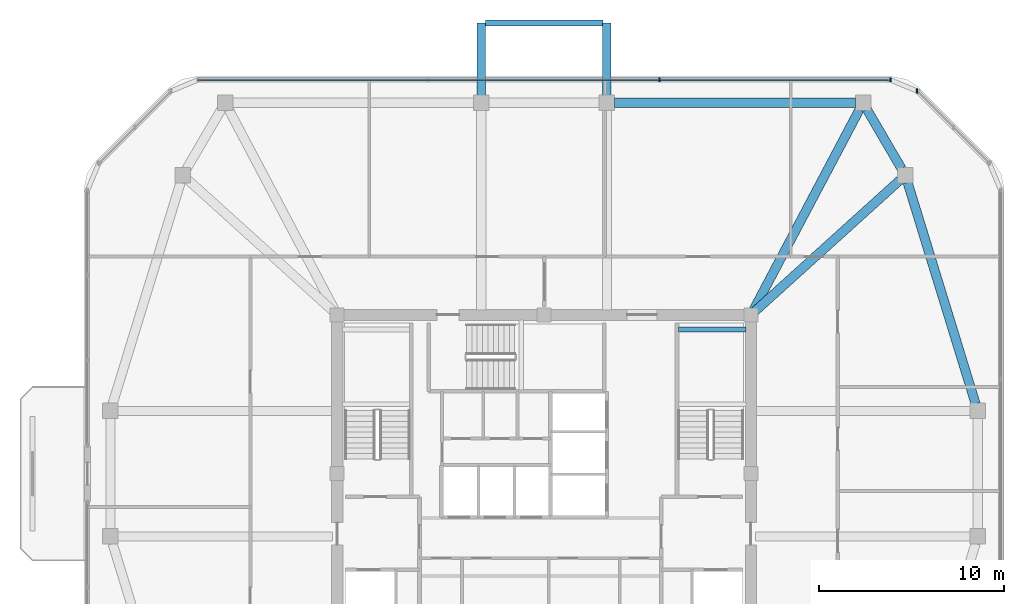
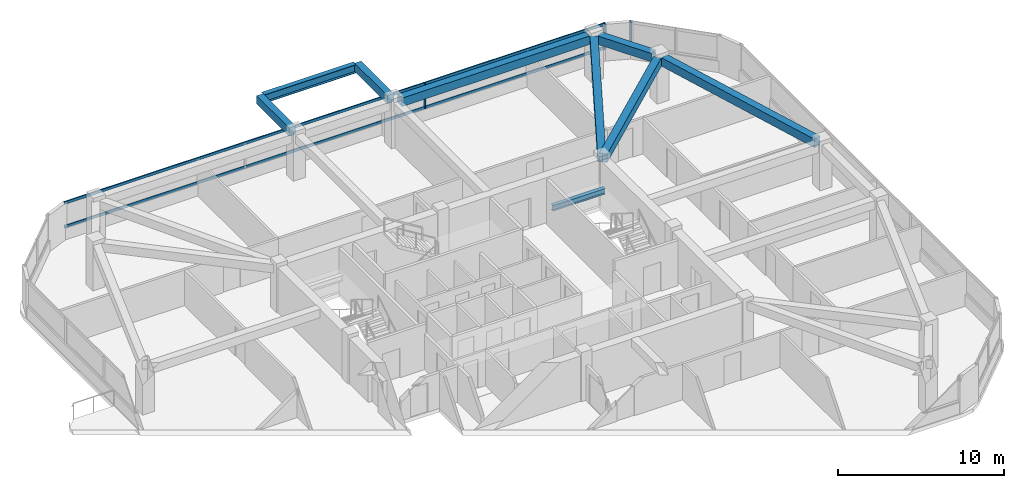
# One storey, part 5 of 12: 9 beams, 5 members, 2 elements without a shape of their own.
"""IFC4 building model written with IfcOpenShell, lengths in metres."""

from ifc_helpers import new_model, si_unit, derived_unit, direction, frame, origin, origin_2d, place, context, subcontext, project, spatial, rectangle, i_section, extrude, material, material_profile, profile_set, type_object, element, aggregate, save


model = new_model("IFC4")

# Units and contexts
model_context = context("Model", 3, precision=1e-05, world=origin(), true_north=direction((0.0, 1.0)))
body_context = subcontext(model_context, "Body", "Model", "MODEL_VIEW")
ifc_project = project(units=[si_unit("LENGTHUNIT", "METRE"), si_unit("AREAUNIT", "SQUARE_METRE"), si_unit("VOLUMEUNIT", "CUBIC_METRE"), si_unit("PLANEANGLEUNIT", "RADIAN"), si_unit("MASSUNIT", "GRAM", prefix="KILO"), derived_unit("THERMALTRANSMITTANCEUNIT", [(si_unit("POWERUNIT", "WATT"), 1), (si_unit("LENGTHUNIT", "METRE"), -2), (si_unit("THERMODYNAMICTEMPERATUREUNIT", "KELVIN"), -1)])], contexts=[model_context])

# Site, building, storey
site_placement = place(None, origin())
site = spatial("IfcSite", under=ifc_project, at=site_placement, CompositionType="ELEMENT")
building_placement = place(site_placement, origin())
building = spatial("IfcBuilding", under=site, at=building_placement, Name="Koralith Skygarden Medical Center", CompositionType="ELEMENT")
storey_placement = place(building_placement, frame((0.0, 0.0, 278.820068359375)))
storey = spatial("IfcBuildingStorey", under=building, at=storey_placement, Name="L72", CompositionType="ELEMENT", Elevation=278.820068359375)

# Curtain wall, member
ifc_material_1 = material(Name="Clear Laminated Glass", Category="glass")
curtain_wall_type = type_object("IfcCurtainWallType", Name="CW-6 Zone 5 Upper Clinical Curtain Wall", PredefinedType="NOTDEFINED", material=ifc_material_1)
curtain_wall_1_placement = place(storey_placement, origin())
curtain_wall_1 = element("IfcCurtainWall", 1, at=curtain_wall_1_placement, inside=storey, type_object=curtain_wall_type, Name="Curtain Wall CW-L72-NE", PredefinedType="NOTDEFINED")
ifc_material_2 = material(Name="Aluminium 6063-T6", Category="aluminium")
ifc_material_profile_1 = material_profile(ifc_material_2, rectangle(XDim=0.0830078125, YDim=0.219970703125, at=origin_2d()), Name="MUL83X220")
ifc_profile_set_1 = profile_set([ifc_material_profile_1], Name="Aluminium 6063-T6")
member_type_1 = type_object("IfcMemberType", Name="CW-6 Extruded Mullion 83x220", PredefinedType="MULLION", material=ifc_profile_set_1)
member_1_placement = place(storey_placement, frame((57.196044921875, 46.618896484375, 0.849853515625), z_axis=(0.0, 0.0, 1.0), x_axis=(1.0, 0.0, 0.0)))
member_1 = element("IfcMember", 2, at=member_1_placement, type_object=member_type_1, Name="CW-L72-NE Mullion 3", PredefinedType="MULLION", context=body_context, shape_type="SweptSolid", body=[
    extrude(rectangle(XDim=0.0830078125, YDim=0.219970703125, at=origin_2d()), origin(), (0.0, 0.0, 1.0), 1.840087890625),
])
aggregate(curtain_wall_1, [member_1])

# Curtain wall, members
curtain_wall_2_placement = place(storey_placement, origin())
curtain_wall_2 = element("IfcCurtainWall", 3, at=curtain_wall_2_placement, inside=storey, type_object=curtain_wall_type, Name="Curtain Wall CW-L72-N", PredefinedType="NOTDEFINED")
member_2_placement = place(storey_placement, frame((55.7451171875, 47.219970703125, 0.849853515625), z_axis=(0.0, 0.0, 1.0), x_axis=(1.0, 0.0, 0.0)))
member_2 = element("IfcMember", 4, at=member_2_placement, type_object=member_type_1, Name="CW-L72-N Mullion 1", PredefinedType="MULLION", context=body_context, shape_type="SweptSolid", body=[
    extrude(rectangle(XDim=0.0830078125, YDim=0.219970703125, at=origin_2d()), origin(), (0.0, 0.0, 1.0), 1.840087890625),
])
member_3_placement = place(storey_placement, frame((43.248046875, 47.219970703125, 0.849853515625), z_axis=(0.0, 0.0, 1.0), x_axis=(1.0, 0.0, 0.0)))
member_3 = element("IfcMember", 5, at=member_3_placement, type_object=member_type_1, Name="CW-L72-N Mullion 2", PredefinedType="MULLION", context=body_context, shape_type="SweptSolid", body=[
    extrude(rectangle(XDim=0.0830078125, YDim=0.219970703125, at=origin_2d()), origin(), (0.0, 0.0, 1.0), 1.840087890625),
])
ifc_material_profile_2 = material_profile(ifc_material_2, rectangle(XDim=0.077880859375, YDim=0.197998046875, at=origin_2d()), Name="TRN78X198")
ifc_profile_set_2 = profile_set([ifc_material_profile_2], Name="Aluminium 6063-T6")
member_type_2 = type_object("IfcMemberType", Name="CW-6 Thermal Transom 78x198", PredefinedType="USERDEFINED", material=ifc_profile_set_2)
member_4_placement = place(storey_placement, frame((55.7451171875, 47.219970703125, 0.89990234375), z_axis=(-1.0, 0.0, 0.0), x_axis=(0.0, -1.0, 0.0)))
member_4 = element("IfcMember", 6, at=member_4_placement, type_object=member_type_2, Name="CW-L72-N Transom 1", ObjectType="TRANSOM", PredefinedType="USERDEFINED", context=body_context, shape_type="SweptSolid", body=[
    extrude(rectangle(XDim=0.077880859375, YDim=0.197998046875, at=origin_2d()), origin(), (0.0, 0.0, 1.0), 37.490234375),
])
member_5_placement = place(storey_placement, frame((55.7451171875, 47.219970703125, 2.639892578125), z_axis=(-1.0, 0.0, 0.0), x_axis=(0.0, -1.0, 0.0)))
member_5 = element("IfcMember", 7, at=member_5_placement, type_object=member_type_2, Name="CW-L72-N Transom 2", ObjectType="TRANSOM", PredefinedType="USERDEFINED", context=body_context, shape_type="SweptSolid", body=[
    extrude(rectangle(XDim=0.077880859375, YDim=0.197998046875, at=origin_2d()), origin(), (0.0, 0.0, 1.0), 37.490234375),
])
aggregate(curtain_wall_2, [member_2, member_3, member_4, member_5])

# Beams
ifc_material_3 = material(Name="Steel ASTM A992 Grade 50", Category="steel")
ifc_material_profile_3 = material_profile(ifc_material_3, i_section(OverallWidth=0.326904296875, OverallDepth=0.6220703125, WebThickness=0.015380859375, FlangeThickness=0.0244140625, at=origin_2d()), Name="W24X131")
ifc_profile_set_3 = profile_set([ifc_material_profile_3], Name="Steel ASTM A992 Grade 50")
beam_type_1 = type_object("IfcBeamType", Name="Cantilever Tie Beam W24X131", PredefinedType="BEAM", material=ifc_profile_set_3)
beam_1_placement = place(storey_placement, frame((33.820068359375, 50.300048828125, 3.029052734375), z_axis=(1.0, 0.0, 0.0), x_axis=(0.0, 1.0, 0.0)))
element("IfcBeam", 8, at=beam_1_placement, inside=storey, type_object=beam_type_1, Name="L73 N Balcony Tip Tie Beam", PredefinedType="BEAM", context=body_context, shape_type="SweptSolid", body=[
    extrude(i_section(OverallWidth=0.326904296875, OverallDepth=0.6220703125, WebThickness=0.015380859375, FlangeThickness=0.0244140625, at=origin_2d()), origin(), (0.0, 0.0, 1.0), 6.35986328125),
])
ifc_material_profile_4 = material_profile(ifc_material_3, i_section(OverallWidth=0.260009765625, OverallDepth=0.4150390625, WebThickness=0.010009765625, FlangeThickness=0.016845703125, at=origin_2d()), Name="W16X67")
ifc_profile_set_4 = profile_set([ifc_material_profile_4], Name="Steel ASTM A992 Grade 50")
beam_type_2 = type_object("IfcBeamType", Name="Clinical Floor Joist W16X67", PredefinedType="JOIST", material=ifc_profile_set_4)
beam_2_placement = place(storey_placement, frame((44.280029296875, 33.699951171875, 1.392822265625), z_axis=(1.0, 0.0, 0.0), x_axis=(0.0, 1.0, 0.0)))
element("IfcBeam", 9, at=beam_2_placement, inside=storey, type_object=beam_type_2, Name="L72 Stair ST2 Half-Landing Support Beam 1B", PredefinedType="JOIST", context=body_context, shape_type="SweptSolid", body=[
    extrude(i_section(OverallWidth=0.260009765625, OverallDepth=0.4150390625, WebThickness=0.010009765625, FlangeThickness=0.016845703125, at=origin_2d()), origin(), (0.0, 0.0, 1.0), 3.639892578125),
])
ifc_material_4 = material(Name="Concrete C45/55", Category="concrete")
ifc_material_profile_5 = material_profile(ifc_material_4, rectangle(XDim=0.449951171875, YDim=0.60009765625, at=origin_2d()), Name="RCB450X600")
ifc_profile_set_5 = profile_set([ifc_material_profile_5], Name="Concrete C45/55")
beam_type_3 = type_object("IfcBeamType", Name="Planted Balcony Cantilever Beam RCB450X600", PredefinedType="BEAM", material=ifc_profile_set_5)
for number, where, z_axis, x_axis, name in (
    (10, (33.60009765625, 46.3798828125, 3.0400390625), (0.0, 1.0, 0.0), (-1.0, 0.0, 0.0), "L73 N Balcony Cantilever Beam A"),
    (11, (40.39990234375, 46.3798828125, 3.0400390625), (0.0, 1.0, 0.0), (-1.0, 0.0, 0.0), "L73 N Balcony Cantilever Beam B"),
):
    element("IfcBeam", number, at=place(storey_placement, frame(where, z_axis=z_axis, x_axis=x_axis)), inside=storey, type_object=beam_type_3, Name=name, PredefinedType="BEAM", context=body_context, shape_type="SweptSolid", body=[
        extrude(rectangle(XDim=0.449951171875, YDim=0.60009765625, at=origin_2d()), origin(), (0.0, 0.0, 1.0), 3.920166015625),
    ])
ifc_material_profile_6 = material_profile(ifc_material_4, rectangle(XDim=0.5, YDim=0.6201171875, at=origin_2d()), Name="RCB500X620")
ifc_profile_set_6 = profile_set([ifc_material_profile_6], Name="Concrete C45/55")
beam_type_4 = type_object("IfcBeamType", Name="Upper Radial Collector Beam RCB500X620", PredefinedType="BEAM", material=ifc_profile_set_6)
beam_3_placement = place(storey_placement, frame((48.385009765625, 34.66796875, 3.010009765625), z_axis=(0.741747768548, 0.670678945438, 0.0), x_axis=(-0.670678945438, 0.741747768548, 0.0)))
element("IfcBeam", 12, at=beam_3_placement, inside=storey, type_object=beam_type_4, Name="L72 Radial Collector Beam RB-10", PredefinedType="BEAM", context=body_context, shape_type="SweptSolid", body=[
    extrude(rectangle(XDim=0.5, YDim=0.6201171875, at=origin_2d()), origin(), (0.0, 0.0, 1.0), 10.611572265625),
])
beam_4_placement = place(storey_placement, frame((48.31689453125, 34.720947265625, 3.010009765625), z_axis=(0.467256895772, 0.884121594213, 0.0), x_axis=(-0.884121594213, 0.467256895772, 0.0)))
element("IfcBeam", 13, at=beam_4_placement, inside=storey, type_object=beam_type_4, Name="L72 Radial Collector Beam RB-11", PredefinedType="BEAM", context=body_context, shape_type="SweptSolid", body=[
    extrude(rectangle(XDim=0.5, YDim=0.6201171875, at=origin_2d()), origin(), (0.0, 0.0, 1.0), 12.3251953125),
])
ifc_material_profile_7 = material_profile(ifc_material_4, rectangle(XDim=0.5, YDim=0.6201171875, at=origin_2d()), Name="RCB500X620")
ifc_profile_set_7 = profile_set([ifc_material_profile_7], Name="Concrete C45/55")
beam_type_5 = type_object("IfcBeamType", Name="Zone 4-5 Spandrel Beam RCB500X620", PredefinedType="SPANDREL", material=ifc_profile_set_7)
beam_5_placement = place(storey_placement, frame((60.360107421875, 29.69189453125, 3.010009765625), z_axis=(-0.293738023424, 0.955885962652, 0.0), x_axis=(-0.955885962652, -0.293738023424, 0.0)))
element("IfcBeam", 14, at=beam_5_placement, inside=storey, type_object=beam_type_5, Name="L72 Perimeter Spandrel Beam SP-09", PredefinedType="SPANDREL", context=body_context, shape_type="SweptSolid", body=[
    extrude(rectangle(XDim=0.5, YDim=0.6201171875, at=origin_2d()), origin(), (0.0, 0.0, 1.0), 12.52880859375),
])
beam_6_placement = place(storey_placement, frame((56.35302734375, 42.4140625, 3.010009765625), z_axis=(-0.50473571007, 0.863273921175, 0.0), x_axis=(-0.863273921175, -0.50473571007, 0.0)))
element("IfcBeam", 15, at=beam_6_placement, inside=storey, type_object=beam_type_5, Name="L72 Perimeter Spandrel Beam SP-10", PredefinedType="SPANDREL", context=body_context, shape_type="SweptSolid", body=[
    extrude(rectangle(XDim=0.5, YDim=0.6201171875, at=origin_2d()), origin(), (0.0, 0.0, 1.0), 3.720703125),
])
beam_7_placement = place(storey_placement, frame((53.85791015625, 45.97998046875, 3.010009765625), z_axis=(-1.0, 0.0, 0.0), x_axis=(0.0, -1.0, 0.0)))
element("IfcBeam", 16, at=beam_7_placement, inside=storey, type_object=beam_type_5, Name="L72 Perimeter Spandrel Beam SP-11", PredefinedType="SPANDREL", context=body_context, shape_type="SweptSolid", body=[
    extrude(rectangle(XDim=0.5, YDim=0.6201171875, at=origin_2d()), origin(), (0.0, 0.0, 1.0), 13.0478515625),
])

save(model, "model.ifc")
